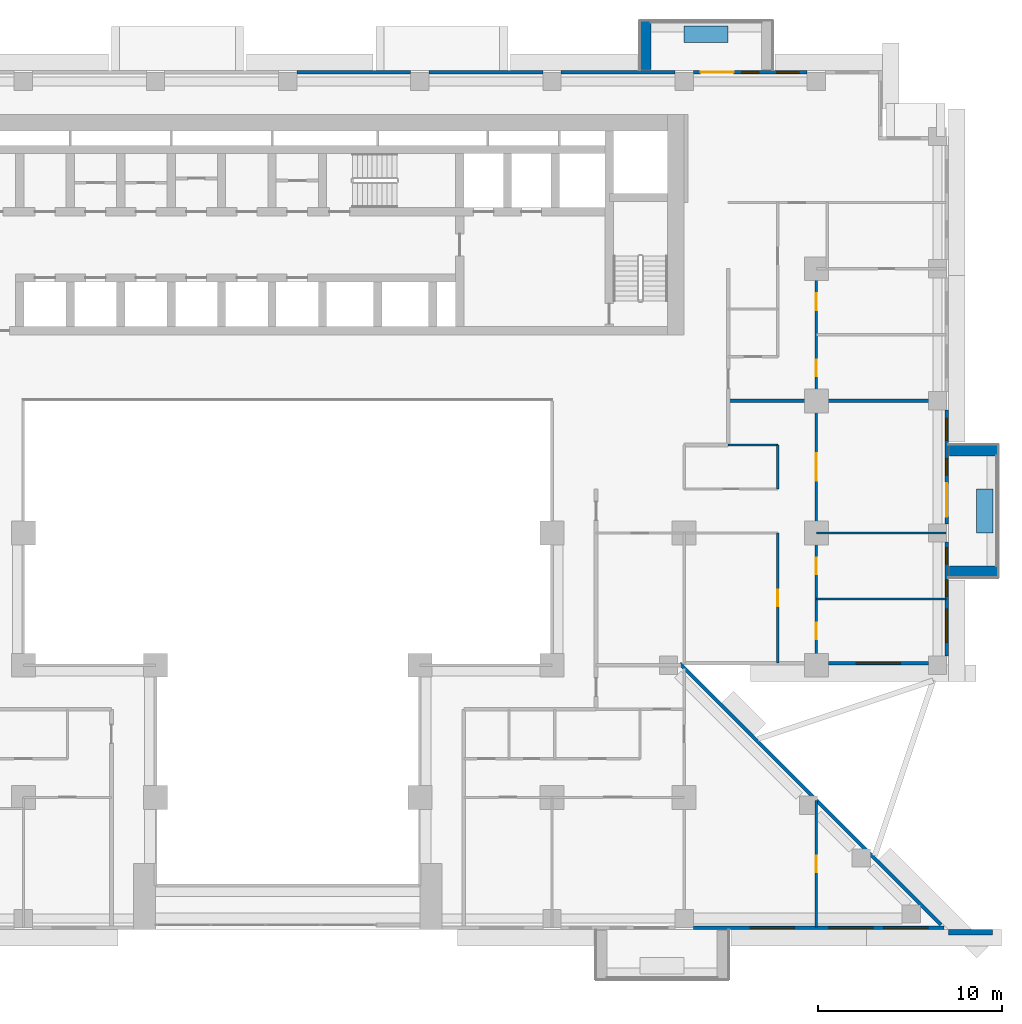
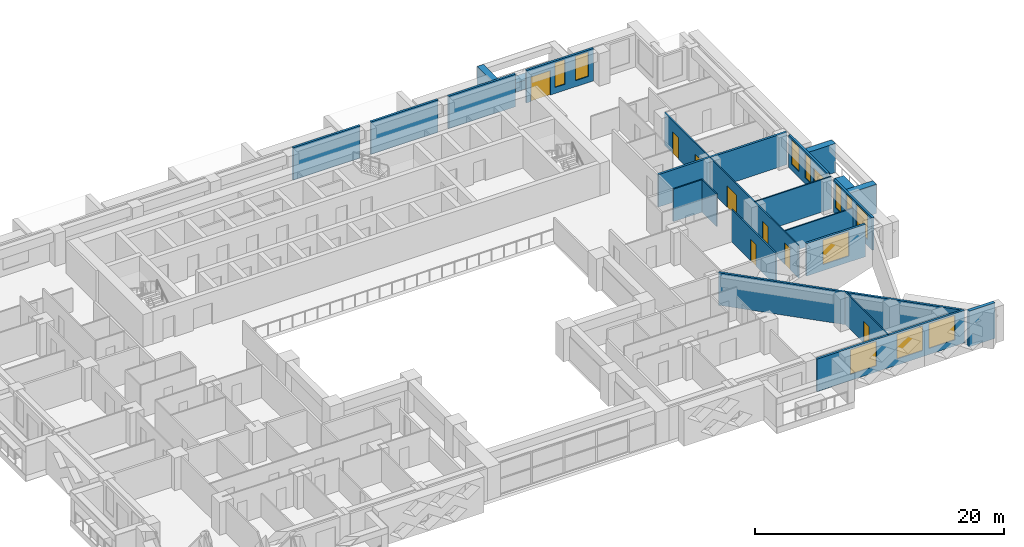
# One storey, part 11 of 16: 23 walls, 11 windows, 9 doors, 20 openings.
"""IFC4 building model written with IfcOpenShell, lengths in metres."""

from ifc_helpers import new_model, si_unit, direction, frame, frame_2d, origin, place, context, subcontext, project, spatial, rectangle, extrude, material, layer, layer_set, type_object, element, fill, save


model = new_model("IFC4")

# Units and contexts
model_context = context("Model", 3, precision=1e-05, world=origin(), true_north=direction((0.0, 1.0)))
body_context = subcontext(model_context, "Body", "Model", "MODEL_VIEW")
ifc_project = project(units=[si_unit("LENGTHUNIT", "METRE"), si_unit("AREAUNIT", "SQUARE_METRE"), si_unit("VOLUMEUNIT", "CUBIC_METRE"), si_unit("PLANEANGLEUNIT", "RADIAN"), si_unit("MASSUNIT", "GRAM", prefix="KILO")], contexts=[model_context])

# Site, building, storey
site_placement = place(None, origin())
site = spatial("IfcSite", under=ifc_project, at=site_placement, CompositionType="ELEMENT")
building_placement = place(site_placement, origin())
building = spatial("IfcBuilding", under=site, at=building_placement, Name="Saffron Iwan Residences", CompositionType="ELEMENT")
storey_placement = place(building_placement, frame((0.0, 0.0, 69.0)))
storey = spatial("IfcBuildingStorey", under=building, at=storey_placement, Name="L17", CompositionType="ELEMENT", Elevation=69.0)

# Walls
ifc_material_1 = material(Name="Concrete C50/60 white painted", Category="concrete")
ifc_layer_1 = layer(ifc_material_1, 0.60009765625)
ifc_layer_set_1 = layer_set([ifc_layer_1], Name="Concrete C50/60 white painted")
wall_type_1 = type_object("IfcWallType", Name="BALCONY FIN 600", PredefinedType="SOLIDWALL", material=ifc_layer_set_1)
for number, where, z_axis, x_axis, name in (
    (1, (86.449951171875, 53.10009765625, 0.0), (0.0, 0.0, 1.0), (1.0, 0.0, 0.0), "Balcony fin L17 F2-0a"),
    (2, (86.449951171875, 59.699951171875, 0.0), (0.0, 0.0, 1.0), (1.0, 0.0, 0.0), "Balcony fin L17 F2-0b"),
    (3, (69.89990234375, 80.449951171875, 0.0), (0.0, 0.0, 1.0), (0.0, 1.0, 0.0), "Balcony fin L17 F5-0b"),
):
    element("IfcWall", number, at=place(storey_placement, frame(where, z_axis=z_axis, x_axis=x_axis)), inside=storey, type_object=wall_type_1, Name=name, PredefinedType="SOLIDWALL", context=body_context, shape_type="SweptSolid", body=[
        extrude(rectangle(XDim=2.650146484375, YDim=0.60009765625, at=frame_2d((1.3251953125, 0.0))), origin(), (0.0, 0.0, 1.0), 2.85009765625),
    ])
ifc_material_2 = material(Name="Concrete C35/45 white painted", Category="concrete")
ifc_layer_2 = layer(ifc_material_2, 0.14990234375)
ifc_layer_set_2 = layer_set([ifc_layer_2], Name="Concrete C35/45 white painted")
wall_type_2 = type_object("IfcWallType", Name="BALCONY PLANTER", PredefinedType="SOLIDWALL", material=ifc_layer_set_2)
wall_1_placement = place(storey_placement, frame((88.375, 55.199951171875, 0.0), z_axis=(0.0, 0.0, 1.0), x_axis=(0.0, 1.0, 0.0)))
element("IfcWall", 4, at=wall_1_placement, inside=storey, type_object=wall_type_2, Name="PLANTER L17 F2-0", PredefinedType="SOLIDWALL", context=body_context, shape_type="SweptSolid", body=[
    extrude(rectangle(XDim=2.400146484375, YDim=0.89990234375, at=frame_2d((1.2001953125, 0.0))), origin(), (0.0, 0.0, 1.0), 0.89990234375),
])
wall_2_placement = place(storey_placement, frame((74.39990234375, 82.375, 0.0), z_axis=(0.0, 0.0, 1.0), x_axis=(-1.0, 0.0, 0.0)))
element("IfcWall", 5, at=wall_2_placement, inside=storey, type_object=wall_type_2, Name="PLANTER L17 F5-0", PredefinedType="SOLIDWALL", context=body_context, shape_type="SweptSolid", body=[
    extrude(rectangle(XDim=2.39990234375, YDim=0.89990234375, at=frame_2d((1.199951171875, 0.0))), origin(), (0.0, 0.0, 1.0), 0.89990234375),
])
ifc_material_3 = material(Name="Concrete C40/50", Category="concrete")
ifc_layer_3 = layer(ifc_material_3, 0.199951171875)
ifc_layer_set_3 = layer_set([ifc_layer_3], Name="Concrete C40/50")
wall_type_3 = type_object("IfcWallType", Name="EXTERNAL WALL 200", PredefinedType="SOLIDWALL", material=ifc_layer_set_3)
wall_3_placement = place(storey_placement, frame((85.995849609375, 33.862548828125, 0.0), z_axis=(0.0, 0.0, 1.0), x_axis=(-0.707100718496, 0.707112843825, 0.0)))
element("IfcWall", 6, at=wall_3_placement, inside=storey, type_object=wall_type_3, Name="External wall L17 F0.0", PredefinedType="SOLIDWALL", context=body_context, shape_type="SweptSolid", body=[
    extrude(rectangle(XDim=20.134765625, YDim=0.199951171875, at=frame_2d((10.0673828125, 0.0))), origin(), (0.0, 0.0, 1.0), 3.179931640625),
])

# Wall, opening, window
wall_4_placement = place(storey_placement, frame((79.85009765625, 48.10009765625, 0.0), z_axis=(0.0, 0.0, 1.0), x_axis=(1.0, 0.0, 0.0)))
wall_4 = element("IfcWall", 7, at=wall_4_placement, inside=storey, type_object=wall_type_3, Name="External wall L17 F1.1", PredefinedType="SOLIDWALL", context=body_context, shape_type="SweptSolid", body=[
    extrude(rectangle(XDim=5.449951171875, YDim=0.199951171875, at=frame_2d((2.72509765625, 0.0))), origin(), (0.0, 0.0, 1.0), 3.179931640625),
])
opening_1_placement = place(wall_4_placement, frame((1.52490234375, 0.0, 0.60009765625)))
opening_1 = element("IfcOpeningElement", 8, at=opening_1_placement, cuts=wall_4, Name="Opening W1", PredefinedType="OPENING", context=body_context, shape_type="SweptSolid", body=[
    extrude(rectangle(XDim=2.39990234375, YDim=2.39990234375, at=frame_2d((1.199951171875, 1.199951171875))), frame((0.0, 0.10986328125, 0.0), z_axis=(0.0, -1.0, 0.0), x_axis=(1.0, 0.0, 0.0)), (0.0, 0.0, 1.0), 0.219970703125),
])
ifc_material_4 = material(Name="Clear glass, laminated double glazed", Category="glass")
window_type_1 = type_object("IfcWindowType", Name="WINDOW 2400 x 2400", PartitioningType="DOUBLE_PANEL_VERTICAL", PredefinedType="WINDOW", material=ifc_material_4)
window_1_placement = place(opening_1_placement, origin())
window_1 = element("IfcWindow", 9, at=window_1_placement, inside=storey, type_object=window_type_1, Name="Window L17 F1.0", OverallHeight=2.39990234375, OverallWidth=2.39990234375, PartitioningType="DOUBLE_PANEL_VERTICAL", PredefinedType="WINDOW", context=body_context, shape_type="SweptSolid", body=[
    extrude(rectangle(XDim=2.39990234375, YDim=2.39990234375, at=frame_2d((1.199951171875, 1.199951171875))), frame((0.0, 0.030029296875, 0.0), z_axis=(0.0, -1.0, 0.0), x_axis=(1.0, 0.0, 0.0)), (0.0, 0.0, 1.0), 0.06005859375),
])
fill(opening_1, window_1)

# Wall, openings, windows
wall_5_placement = place(storey_placement, frame((86.300048828125, 48.5, 0.0), z_axis=(0.0, 0.0, 1.0), x_axis=(0.0, 1.0, 0.0)))
wall_5 = element("IfcWall", 10, at=wall_5_placement, inside=storey, type_object=wall_type_3, Name="External wall L17 F2.0", PredefinedType="SOLIDWALL", context=body_context, shape_type="SweptSolid", body=[
    extrude(rectangle(XDim=6.199951171875, YDim=0.199951171875, at=frame_2d((3.10009765625, 0.0))), origin(), (0.0, 0.0, 1.0), 3.179931640625),
])
opening_2_placement = place(wall_5_placement, frame((0.75, 0.0, 0.60009765625)))
opening_2 = element("IfcOpeningElement", 11, at=opening_2_placement, cuts=wall_5, Name="Opening W8", PredefinedType="OPENING", context=body_context, shape_type="SweptSolid", body=[
    extrude(rectangle(XDim=1.800048828125, YDim=2.39990234375, at=frame_2d((0.89990234375, 1.199951171875))), frame((0.0, 0.10986328125, 0.0), z_axis=(0.0, -1.0, 0.0), x_axis=(1.0, 0.0, 0.0)), (0.0, 0.0, 1.0), 0.219970703125),
])
opening_3_placement = place(wall_5_placement, frame((3.25, 0.0, 0.60009765625)))
opening_3 = element("IfcOpeningElement", 12, at=opening_3_placement, cuts=wall_5, Name="Opening W10", PredefinedType="OPENING", context=body_context, shape_type="SweptSolid", body=[
    extrude(rectangle(XDim=0.89990234375, YDim=2.39990234375, at=frame_2d((0.449951171875, 1.199951171875))), frame((0.0, 0.10986328125, 0.0), z_axis=(0.0, -1.0, 0.0), x_axis=(1.0, 0.0, 0.0)), (0.0, 0.0, 1.0), 0.219970703125),
])
opening_4_placement = place(wall_5_placement, frame((5.0, 0.0, 0.60009765625)))
opening_4 = element("IfcOpeningElement", 13, at=opening_4_placement, cuts=wall_5, Name="Opening W10", PredefinedType="OPENING", context=body_context, shape_type="SweptSolid", body=[
    extrude(rectangle(XDim=0.89990234375, YDim=2.39990234375, at=frame_2d((0.449951171875, 1.199951171875))), frame((0.0, 0.10986328125, 0.0), z_axis=(0.0, -1.0, 0.0), x_axis=(1.0, 0.0, 0.0)), (0.0, 0.0, 1.0), 0.219970703125),
])
window_type_2 = type_object("IfcWindowType", Name="WINDOW 1800 x 2400", PartitioningType="DOUBLE_PANEL_VERTICAL", PredefinedType="WINDOW", material=ifc_material_4)
window_2_placement = place(opening_2_placement, origin())
window_2 = element("IfcWindow", 14, at=window_2_placement, inside=storey, type_object=window_type_2, Name="Window L17 F2.0", OverallHeight=2.39990234375, OverallWidth=1.800048828125, PartitioningType="DOUBLE_PANEL_VERTICAL", PredefinedType="WINDOW", context=body_context, shape_type="SweptSolid", body=[
    extrude(rectangle(XDim=1.800048828125, YDim=2.39990234375, at=frame_2d((0.89990234375, 1.199951171875))), frame((0.0, 0.030029296875, 0.0), z_axis=(0.0, -1.0, 0.0), x_axis=(1.0, 0.0, 0.0)), (0.0, 0.0, 1.0), 0.06005859375),
])
fill(opening_2, window_2)
window_type_3 = type_object("IfcWindowType", Name="WINDOW 900 x 2400", PartitioningType="SINGLE_PANEL", PredefinedType="WINDOW", material=ifc_material_4)
window_3_placement = place(opening_3_placement, origin())
window_3 = element("IfcWindow", 15, at=window_3_placement, inside=storey, type_object=window_type_3, Name="Window L17 F2.1", OverallHeight=2.39990234375, OverallWidth=0.89990234375, PartitioningType="SINGLE_PANEL", PredefinedType="WINDOW", context=body_context, shape_type="SweptSolid", body=[
    extrude(rectangle(XDim=0.89990234375, YDim=2.39990234375, at=frame_2d((0.449951171875, 1.199951171875))), frame((0.0, 0.030029296875, 0.0), z_axis=(0.0, -1.0, 0.0), x_axis=(1.0, 0.0, 0.0)), (0.0, 0.0, 1.0), 0.06005859375),
])
fill(opening_3, window_3)
window_4_placement = place(opening_4_placement, origin())
window_4 = element("IfcWindow", 16, at=window_4_placement, inside=storey, type_object=window_type_3, Name="Window L17 F2.2", OverallHeight=2.39990234375, OverallWidth=0.89990234375, PartitioningType="SINGLE_PANEL", PredefinedType="WINDOW", context=body_context, shape_type="SweptSolid", body=[
    extrude(rectangle(XDim=0.89990234375, YDim=2.39990234375, at=frame_2d((0.449951171875, 1.199951171875))), frame((0.0, 0.030029296875, 0.0), z_axis=(0.0, -1.0, 0.0), x_axis=(1.0, 0.0, 0.0)), (0.0, 0.0, 1.0), 0.06005859375),
])
fill(opening_4, window_4)

# Wall, openings, door, windows
wall_6_placement = place(storey_placement, frame((86.300048828125, 55.699951171875, 0.0), z_axis=(0.0, 0.0, 1.0), x_axis=(0.0, 1.0, 0.0)))
wall_6 = element("IfcWall", 17, at=wall_6_placement, inside=storey, type_object=wall_type_3, Name="External wall L17 F2.1", PredefinedType="SOLIDWALL", context=body_context, shape_type="SweptSolid", body=[
    extrude(rectangle(XDim=6.199951171875, YDim=0.199951171875, at=frame_2d((3.10009765625, 0.0))), origin(), (0.0, 0.0, 1.0), 3.179931640625),
])
opening_5_placement = place(wall_6_placement, frame((0.39990234375, 0.0, 0.0)))
opening_5 = element("IfcOpeningElement", 18, at=opening_5_placement, cuts=wall_6, Name="Opening BD1", PredefinedType="OPENING", context=body_context, shape_type="SweptSolid", body=[
    extrude(rectangle(XDim=1.800048828125, YDim=2.39990234375, at=frame_2d((0.89990234375, 1.199951171875))), frame((0.0, 0.10986328125, 0.0), z_axis=(0.0, -1.0, 0.0), x_axis=(1.0, 0.0, 0.0)), (0.0, 0.0, 1.0), 0.219970703125),
])
opening_6_placement = place(wall_6_placement, frame((2.64990234375, 0.0, 0.60009765625)))
opening_6 = element("IfcOpeningElement", 19, at=opening_6_placement, cuts=wall_6, Name="Opening W10", PredefinedType="OPENING", context=body_context, shape_type="SweptSolid", body=[
    extrude(rectangle(XDim=0.89990234375, YDim=2.39990234375, at=frame_2d((0.449951171875, 1.199951171875))), frame((0.0, 0.10986328125, 0.0), z_axis=(0.0, -1.0, 0.0), x_axis=(1.0, 0.0, 0.0)), (0.0, 0.0, 1.0), 0.219970703125),
])
opening_7_placement = place(wall_6_placement, frame((4.550048828125, 0.0, 0.60009765625)))
opening_7 = element("IfcOpeningElement", 20, at=opening_7_placement, cuts=wall_6, Name="Opening W3", PredefinedType="OPENING", context=body_context, shape_type="SweptSolid", body=[
    extrude(rectangle(XDim=1.199951171875, YDim=2.39990234375, at=frame_2d((0.60009765625, 1.199951171875))), frame((0.0, 0.10986328125, 0.0), z_axis=(0.0, -1.0, 0.0), x_axis=(1.0, 0.0, 0.0)), (0.0, 0.0, 1.0), 0.219970703125),
])
door_type_1 = type_object("IfcDoorType", Name="BALCONY DOOR 1800 x 2400", OperationType="DOUBLE_DOOR_SLIDING", PredefinedType="DOOR", material=ifc_material_4)
door_1_placement = place(opening_5_placement, origin())
door_1 = element("IfcDoor", 21, at=door_1_placement, inside=storey, type_object=door_type_1, Name="Balcony door L17 F2.0", OperationType="DOUBLE_DOOR_SLIDING", OverallHeight=2.39990234375, OverallWidth=1.800048828125, PredefinedType="DOOR", context=body_context, shape_type="SweptSolid", body=[
    extrude(rectangle(XDim=1.800048828125, YDim=2.39990234375, at=frame_2d((0.89990234375, 1.199951171875))), frame((0.0, 0.02490234375, 0.0), z_axis=(0.0, -1.0, 0.0), x_axis=(1.0, 0.0, 0.0)), (0.0, 0.0, 1.0), 0.050048828125),
])
fill(opening_5, door_1)
window_type_4 = type_object("IfcWindowType", Name="WINDOW 1200 x 2400", PartitioningType="SINGLE_PANEL", PredefinedType="WINDOW", material=ifc_material_4)
window_5_placement = place(opening_7_placement, origin())
window_5 = element("IfcWindow", 22, at=window_5_placement, inside=storey, type_object=window_type_4, Name="Window L17 F2.2", OverallHeight=2.39990234375, OverallWidth=1.199951171875, PartitioningType="SINGLE_PANEL", PredefinedType="WINDOW", context=body_context, shape_type="SweptSolid", body=[
    extrude(rectangle(XDim=1.199951171875, YDim=2.39990234375, at=frame_2d((0.60009765625, 1.199951171875))), frame((0.0, 0.030029296875, 0.0), z_axis=(0.0, -1.0, 0.0), x_axis=(1.0, 0.0, 0.0)), (0.0, 0.0, 1.0), 0.06005859375),
])
fill(opening_7, window_5)
window_6_placement = place(opening_6_placement, origin())
window_6 = element("IfcWindow", 23, at=window_6_placement, inside=storey, type_object=window_type_3, Name="Window L17 F2.1", OverallHeight=2.39990234375, OverallWidth=0.89990234375, PartitioningType="SINGLE_PANEL", PredefinedType="WINDOW", context=body_context, shape_type="SweptSolid", body=[
    extrude(rectangle(XDim=0.89990234375, YDim=2.39990234375, at=frame_2d((0.449951171875, 1.199951171875))), frame((0.0, 0.030029296875, 0.0), z_axis=(0.0, -1.0, 0.0), x_axis=(1.0, 0.0, 0.0)), (0.0, 0.0, 1.0), 0.06005859375),
])
fill(opening_6, window_6)

wall_7_placement = place(storey_placement, frame((78.699951171875, 80.300048828125, 0.0), z_axis=(0.0, 0.0, 1.0), x_axis=(-1.0, 0.0, 0.0)))
wall_7 = element("IfcWall", 24, at=wall_7_placement, inside=storey, type_object=wall_type_3, Name="External wall L17 F5.1", PredefinedType="SOLIDWALL", context=body_context, shape_type="SweptSolid", body=[
    extrude(rectangle(XDim=6.199951171875, YDim=0.199951171875, at=frame_2d((3.10009765625, 0.0))), origin(), (0.0, 0.0, 1.0), 3.179931640625),
])
opening_8_placement = place(wall_7_placement, frame((4.0, 0.0, 0.0)))
opening_8 = element("IfcOpeningElement", 25, at=opening_8_placement, cuts=wall_7, Name="Opening BD1", PredefinedType="OPENING", context=body_context, shape_type="SweptSolid", body=[
    extrude(rectangle(XDim=1.800048828125, YDim=2.39990234375, at=frame_2d((0.89990234375, 1.199951171875))), frame((0.0, 0.10986328125, 0.0), z_axis=(0.0, -1.0, 0.0), x_axis=(1.0, 0.0, 0.0)), (0.0, 0.0, 1.0), 0.219970703125),
])
opening_9_placement = place(wall_7_placement, frame((0.449951171875, 0.0, 0.60009765625)))
opening_9 = element("IfcOpeningElement", 26, at=opening_9_placement, cuts=wall_7, Name="Opening W3", PredefinedType="OPENING", context=body_context, shape_type="SweptSolid", body=[
    extrude(rectangle(XDim=1.199951171875, YDim=2.39990234375, at=frame_2d((0.60009765625, 1.199951171875))), frame((0.0, 0.10986328125, 0.0), z_axis=(0.0, -1.0, 0.0), x_axis=(1.0, 0.0, 0.0)), (0.0, 0.0, 1.0), 0.219970703125),
])
opening_10_placement = place(wall_7_placement, frame((2.64990234375, 0.0, 0.60009765625)))
opening_10 = element("IfcOpeningElement", 27, at=opening_10_placement, cuts=wall_7, Name="Opening W10", PredefinedType="OPENING", context=body_context, shape_type="SweptSolid", body=[
    extrude(rectangle(XDim=0.89990234375, YDim=2.39990234375, at=frame_2d((0.449951171875, 1.199951171875))), frame((0.0, 0.10986328125, 0.0), z_axis=(0.0, -1.0, 0.0), x_axis=(1.0, 0.0, 0.0)), (0.0, 0.0, 1.0), 0.219970703125),
])
door_2_placement = place(opening_8_placement, origin())
door_2 = element("IfcDoor", 28, at=door_2_placement, inside=storey, type_object=door_type_1, Name="Balcony door L17 F5.0", OperationType="DOUBLE_DOOR_SLIDING", OverallHeight=2.39990234375, OverallWidth=1.800048828125, PredefinedType="DOOR", context=body_context, shape_type="SweptSolid", body=[
    extrude(rectangle(XDim=1.800048828125, YDim=2.39990234375, at=frame_2d((0.89990234375, 1.199951171875))), frame((0.0, 0.02490234375, 0.0), z_axis=(0.0, -1.0, 0.0), x_axis=(1.0, 0.0, 0.0)), (0.0, 0.0, 1.0), 0.050048828125),
])
fill(opening_8, door_2)
window_7_placement = place(opening_9_placement, origin())
window_7 = element("IfcWindow", 29, at=window_7_placement, inside=storey, type_object=window_type_4, Name="Window L17 F5.1", OverallHeight=2.39990234375, OverallWidth=1.199951171875, PartitioningType="SINGLE_PANEL", PredefinedType="WINDOW", context=body_context, shape_type="SweptSolid", body=[
    extrude(rectangle(XDim=1.199951171875, YDim=2.39990234375, at=frame_2d((0.60009765625, 1.199951171875))), frame((0.0, 0.030029296875, 0.0), z_axis=(0.0, -1.0, 0.0), x_axis=(1.0, 0.0, 0.0)), (0.0, 0.0, 1.0), 0.06005859375),
])
fill(opening_9, window_7)
window_8_placement = place(opening_10_placement, origin())
window_8 = element("IfcWindow", 30, at=window_8_placement, inside=storey, type_object=window_type_3, Name="Window L17 F5.2", OverallHeight=2.39990234375, OverallWidth=0.89990234375, PartitioningType="SINGLE_PANEL", PredefinedType="WINDOW", context=body_context, shape_type="SweptSolid", body=[
    extrude(rectangle(XDim=0.89990234375, YDim=2.39990234375, at=frame_2d((0.449951171875, 1.199951171875))), frame((0.0, 0.030029296875, 0.0), z_axis=(0.0, -1.0, 0.0), x_axis=(1.0, 0.0, 0.0)), (0.0, 0.0, 1.0), 0.06005859375),
])
fill(opening_10, window_8)

# Walls
for number, where, z_axis, x_axis, name in (
    (31, (71.5, 80.300048828125, 0.0), (0.0, 0.0, 1.0), (-1.0, 0.0, 0.0), "External wall L17 F5.2"),
    (32, (64.300048828125, 80.300048828125, 0.0), (0.0, 0.0, 1.0), (-1.0, 0.0, 0.0), "External wall L17 F5.3"),
):
    element("IfcWall", number, at=place(storey_placement, frame(where, z_axis=z_axis, x_axis=x_axis)), inside=storey, type_object=wall_type_3, Name=name, PredefinedType="SOLIDWALL", context=body_context, shape_type="SweptSolid", body=[
        extrude(rectangle(XDim=6.199951171875, YDim=0.199951171875, at=frame_2d((3.10009765625, 0.0))), origin(), (0.0, 0.0, 1.0), 3.179931640625),
    ])
wall_8_placement = place(storey_placement, frame((57.10009765625, 80.300048828125, 0.0), z_axis=(0.0, 0.0, 1.0), x_axis=(-1.0, 0.0, 0.0)))
element("IfcWall", 33, at=wall_8_placement, inside=storey, type_object=wall_type_3, Name="External wall L17 F5.4", PredefinedType="SOLIDWALL", context=body_context, shape_type="SweptSolid", body=[
    extrude(rectangle(XDim=6.2001953125, YDim=0.199951171875, at=frame_2d((3.10009765625, 0.0))), origin(), (0.0, 0.0, 1.0), 3.179931640625),
])

# Wall, openings, windows
wall_9_placement = place(storey_placement, frame((72.5, 33.699951171875, 0.0), z_axis=(0.0, 0.0, 1.0), x_axis=(1.0, 0.0, 0.0)))
wall_9 = element("IfcWall", 34, at=wall_9_placement, inside=storey, type_object=wall_type_3, Name="External wall L17 F11.6", PredefinedType="SOLIDWALL", context=body_context, shape_type="SweptSolid", body=[
    extrude(rectangle(XDim=13.65869140625, YDim=0.199951171875, at=frame_2d((6.829345703125, 0.0))), origin(), (0.0, 0.0, 1.0), 3.179931640625),
])
opening_11_placement = place(wall_9_placement, frame((3.10009765625, 0.0, 0.60009765625)))
opening_11 = element("IfcOpeningElement", 35, at=opening_11_placement, cuts=wall_9, Name="Opening W1", PredefinedType="OPENING", context=body_context, shape_type="SweptSolid", body=[
    extrude(rectangle(XDim=2.39990234375, YDim=2.39990234375, at=frame_2d((1.199951171875, 1.199951171875))), frame((0.0, 0.10986328125, 0.0), z_axis=(0.0, -1.0, 0.0), x_axis=(1.0, 0.0, 0.0)), (0.0, 0.0, 1.0), 0.219970703125),
])
opening_12_placement = place(wall_9_placement, frame((7.38623046875, 0.0, 0.60009765625)))
opening_12 = element("IfcOpeningElement", 36, at=opening_12_placement, cuts=wall_9, Name="Opening W1", PredefinedType="OPENING", context=body_context, shape_type="SweptSolid", body=[
    extrude(rectangle(XDim=2.39990234375, YDim=2.39990234375, at=frame_2d((1.199951171875, 1.199951171875))), frame((0.0, 0.10986328125, 0.0), z_axis=(0.0, -1.0, 0.0), x_axis=(1.0, 0.0, 0.0)), (0.0, 0.0, 1.0), 0.219970703125),
])
opening_13_placement = place(wall_9_placement, frame((10.372314453125, 0.0, 0.60009765625)))
opening_13 = element("IfcOpeningElement", 37, at=opening_13_placement, cuts=wall_9, Name="Opening W1", PredefinedType="OPENING", context=body_context, shape_type="SweptSolid", body=[
    extrude(rectangle(XDim=2.39990234375, YDim=2.39990234375, at=frame_2d((1.199951171875, 1.199951171875))), frame((0.0, 0.10986328125, 0.0), z_axis=(0.0, -1.0, 0.0), x_axis=(1.0, 0.0, 0.0)), (0.0, 0.0, 1.0), 0.219970703125),
])
window_9_placement = place(opening_11_placement, origin())
window_9 = element("IfcWindow", 38, at=window_9_placement, inside=storey, type_object=window_type_1, Name="Window L17 F11.0", OverallHeight=2.39990234375, OverallWidth=2.39990234375, PartitioningType="DOUBLE_PANEL_VERTICAL", PredefinedType="WINDOW", context=body_context, shape_type="SweptSolid", body=[
    extrude(rectangle(XDim=2.39990234375, YDim=2.39990234375, at=frame_2d((1.199951171875, 1.199951171875))), frame((0.0, 0.030029296875, 0.0), z_axis=(0.0, -1.0, 0.0), x_axis=(1.0, 0.0, 0.0)), (0.0, 0.0, 1.0), 0.06005859375),
])
fill(opening_11, window_9)
window_10_placement = place(opening_12_placement, origin())
window_10 = element("IfcWindow", 39, at=window_10_placement, inside=storey, type_object=window_type_1, Name="Window L17 F11.1", OverallHeight=2.39990234375, OverallWidth=2.39990234375, PartitioningType="DOUBLE_PANEL_VERTICAL", PredefinedType="WINDOW", context=body_context, shape_type="SweptSolid", body=[
    extrude(rectangle(XDim=2.39990234375, YDim=2.39990234375, at=frame_2d((1.199951171875, 1.199951171875))), frame((0.0, 0.030029296875, 0.0), z_axis=(0.0, -1.0, 0.0), x_axis=(1.0, 0.0, 0.0)), (0.0, 0.0, 1.0), 0.06005859375),
])
fill(opening_12, window_10)
window_11_placement = place(opening_13_placement, origin())
window_11 = element("IfcWindow", 40, at=window_11_placement, inside=storey, type_object=window_type_1, Name="Window L17 F11.2", OverallHeight=2.39990234375, OverallWidth=2.39990234375, PartitioningType="DOUBLE_PANEL_VERTICAL", PredefinedType="WINDOW", context=body_context, shape_type="SweptSolid", body=[
    extrude(rectangle(XDim=2.39990234375, YDim=2.39990234375, at=frame_2d((1.199951171875, 1.199951171875))), frame((0.0, 0.030029296875, 0.0), z_axis=(0.0, -1.0, 0.0), x_axis=(1.0, 0.0, 0.0)), (0.0, 0.0, 1.0), 0.06005859375),
])
fill(opening_13, window_11)

# Walls
ifc_material_5 = material(Name="Fire-rated gypsum board wall")
ifc_layer_4 = layer(ifc_material_5, 0.199951171875)
ifc_layer_set_4 = layer_set([ifc_layer_4], Name="Fire-rated gypsum board wall")
wall_type_4 = type_object("IfcWallType", Name="Flat demising wall 200", PredefinedType="SOLIDWALL", material=ifc_layer_set_4)
wall_10_placement = place(storey_placement, frame((74.39990234375, 62.39990234375, 0.0), z_axis=(0.0, 0.0, 1.0), x_axis=(1.0, 0.0, 0.0)))
element("IfcWall", 41, at=wall_10_placement, inside=storey, type_object=wall_type_4, Name="W-L17-DEMISE-h62.4-74.4", PredefinedType="SOLIDWALL", context=body_context, shape_type="SweptSolid", body=[
    extrude(rectangle(XDim=11.875, YDim=0.199951171875, at=frame_2d((5.9375, 0.0))), origin(), (0.0, 0.0, 1.0), 3.179931640625),
])
ifc_material_6 = material(Name="Gypsum board partition")
ifc_layer_5 = layer(ifc_material_6, 0.1201171875)
ifc_layer_set_5 = layer_set([ifc_layer_5], Name="Gypsum board partition")
wall_type_5 = type_object("IfcWallType", Name="Flat partition 120", PredefinedType="PARTITIONING", material=ifc_layer_set_5)
wall_11_placement = place(storey_placement, frame((79.199951171875, 51.60009765625, 0.0), z_axis=(0.0, 0.0, 1.0), x_axis=(1.0, 0.0, 0.0)))
element("IfcWall", 42, at=wall_11_placement, inside=storey, type_object=wall_type_5, Name="W-L17-PART-h51.6-79.2", PredefinedType="PARTITIONING", context=body_context, shape_type="SweptSolid", body=[
    extrude(rectangle(XDim=7.074951171875, YDim=0.1201171875, at=frame_2d((3.53759765625, 0.0))), origin(), (0.0, 0.0, 1.0), 2.280029296875),
])
wall_12_placement = place(storey_placement, frame((79.199951171875, 55.199951171875, 0.0), z_axis=(0.0, 0.0, 1.0), x_axis=(1.0, 0.0, 0.0)))
element("IfcWall", 43, at=wall_12_placement, inside=storey, type_object=wall_type_5, Name="W-L17-PART-h55.2-79.2", PredefinedType="PARTITIONING", context=body_context, shape_type="SweptSolid", body=[
    extrude(rectangle(XDim=7.074951171875, YDim=0.1201171875, at=frame_2d((3.53759765625, 0.0))), origin(), (0.0, 0.0, 1.0), 3.179931640625),
])
wall_13_placement = place(storey_placement, frame((74.39990234375, 60.0, 0.0), z_axis=(0.0, 0.0, 1.0), x_axis=(1.0, 0.0, 0.0)))
element("IfcWall", 44, at=wall_13_placement, inside=storey, type_object=wall_type_5, Name="W-L17-PART-h60-74.4", PredefinedType="PARTITIONING", context=body_context, shape_type="SweptSolid", body=[
    extrude(rectangle(XDim=2.7001953125, YDim=0.1201171875, at=frame_2d((1.35009765625, 0.0))), origin(), (0.0, 0.0, 1.0), 3.179931640625),
])

# Wall, opening, door
wall_14_placement = place(storey_placement, frame((77.10009765625, 48.125, 0.0), z_axis=(0.0, 0.0, 1.0), x_axis=(0.0, 1.0, 0.0)))
wall_14 = element("IfcWall", 45, at=wall_14_placement, inside=storey, type_object=wall_type_5, Name="W-L17-PART-v77.1-48.125", PredefinedType="PARTITIONING", context=body_context, shape_type="SweptSolid", body=[
    extrude(rectangle(XDim=7.074951171875, YDim=0.1201171875, at=frame_2d((3.53759765625, 0.0))), origin(), (0.0, 0.0, 1.0), 3.179931640625),
])
opening_14_placement = place(wall_14_placement, frame((3.08740234375, 0.0, 0.0)))
opening_14 = element("IfcOpeningElement", 46, at=opening_14_placement, cuts=wall_14, Name="Opening FD2", PredefinedType="OPENING", context=body_context, shape_type="SweptSolid", body=[
    extrude(rectangle(XDim=0.89990234375, YDim=2.10009765625, at=frame_2d((0.449951171875, 1.050048828125))), frame((0.0, 0.070068359375, 0.0), z_axis=(0.0, -1.0, 0.0), x_axis=(1.0, 0.0, 0.0)), (0.0, 0.0, 1.0), 0.14013671875),
])
ifc_material_7 = material(Name="Timber door", Category="wood")
door_type_2 = type_object("IfcDoorType", Name="Flat door 900", OperationType="NOTDEFINED", PredefinedType="DOOR", material=ifc_material_7)
door_3_placement = place(opening_14_placement, origin())
door_3 = element("IfcDoor", 47, at=door_3_placement, inside=storey, type_object=door_type_2, Name="Door L17-024", OperationType="SINGLE_SWING_LEFT", OverallHeight=2.10009765625, OverallWidth=0.89990234375, PredefinedType="DOOR", context=body_context, shape_type="SweptSolid", body=[
    extrude(rectangle(XDim=0.89990234375, YDim=2.10009765625, at=frame_2d((0.449951171875, 1.050048828125))), frame((0.0, 0.02490234375, 0.0), z_axis=(0.0, -1.0, 0.0), x_axis=(1.0, 0.0, 0.0)), (0.0, 0.0, 1.0), 0.050048828125),
])
fill(opening_14, door_3)

# Wall
wall_15_placement = place(storey_placement, frame((77.10009765625, 57.60009765625, 0.0), z_axis=(0.0, 0.0, 1.0), x_axis=(0.0, 1.0, 0.0)))
element("IfcWall", 48, at=wall_15_placement, inside=storey, type_object=wall_type_5, Name="W-L17-PART-v77.1-57.6", PredefinedType="PARTITIONING", context=body_context, shape_type="SweptSolid", body=[
    extrude(rectangle(XDim=2.39990234375, YDim=0.1201171875, at=frame_2d((1.199951171875, 0.0))), origin(), (0.0, 0.0, 1.0), 3.179931640625),
])

# Wall, opening, door
wall_16_placement = place(storey_placement, frame((79.199951171875, 33.72509765625, 0.0), z_axis=(0.0, 0.0, 1.0), x_axis=(0.0, 1.0, 0.0)))
wall_16 = element("IfcWall", 49, at=wall_16_placement, inside=storey, type_object=wall_type_5, Name="W-L17-PART-v79.2-33.725", PredefinedType="PARTITIONING", context=body_context, shape_type="SweptSolid", body=[
    extrude(rectangle(XDim=6.89794921875, YDim=0.1201171875, at=frame_2d((3.448974609375, 0.0))), origin(), (0.0, 0.0, 1.0), 3.179931640625),
])
opening_15_placement = place(wall_16_placement, frame((2.9990234375, 0.0, 0.0)))
opening_15 = element("IfcOpeningElement", 50, at=opening_15_placement, cuts=wall_16, Name="Opening FD2", PredefinedType="OPENING", context=body_context, shape_type="SweptSolid", body=[
    extrude(rectangle(XDim=0.89990234375, YDim=2.10009765625, at=frame_2d((0.449951171875, 1.050048828125))), frame((0.0, 0.070068359375, 0.0), z_axis=(0.0, -1.0, 0.0), x_axis=(1.0, 0.0, 0.0)), (0.0, 0.0, 1.0), 0.14013671875),
])
door_4_placement = place(opening_15_placement, origin())
door_4 = element("IfcDoor", 51, at=door_4_placement, inside=storey, type_object=door_type_2, Name="Door L17-049", OperationType="SINGLE_SWING_LEFT", OverallHeight=2.10009765625, OverallWidth=0.89990234375, PredefinedType="DOOR", context=body_context, shape_type="SweptSolid", body=[
    extrude(rectangle(XDim=0.89990234375, YDim=2.10009765625, at=frame_2d((0.449951171875, 1.050048828125))), frame((0.0, 0.02490234375, 0.0), z_axis=(0.0, -1.0, 0.0), x_axis=(1.0, 0.0, 0.0)), (0.0, 0.0, 1.0), 0.050048828125),
])
fill(opening_15, door_4)

# Wall, openings, doors
wall_17_placement = place(storey_placement, frame((79.199951171875, 48.125, 0.0), z_axis=(0.0, 0.0, 1.0), x_axis=(0.0, 1.0, 0.0)))
wall_17 = element("IfcWall", 52, at=wall_17_placement, inside=storey, type_object=wall_type_5, Name="W-L17-PART-v79.2-48.125", PredefinedType="PARTITIONING", context=body_context, shape_type="SweptSolid", body=[
    extrude(rectangle(XDim=21.47509765625, YDim=0.1201171875, at=frame_2d((10.737548828125, 0.0))), origin(), (0.0, 0.0, 1.0), 3.179931640625),
])
opening_16_placement = place(wall_17_placement, frame((1.28759765625, 0.0, 0.0)))
opening_16 = element("IfcOpeningElement", 53, at=opening_16_placement, cuts=wall_17, Name="Opening FD2", PredefinedType="OPENING", context=body_context, shape_type="SweptSolid", body=[
    extrude(rectangle(XDim=0.89990234375, YDim=2.10009765625, at=frame_2d((0.449951171875, 1.050048828125))), frame((0.0, 0.070068359375, 0.0), z_axis=(0.0, -1.0, 0.0), x_axis=(1.0, 0.0, 0.0)), (0.0, 0.0, 1.0), 0.14013671875),
])
opening_17_placement = place(wall_17_placement, frame((4.824951171875, 0.0, 0.0)))
opening_17 = element("IfcOpeningElement", 54, at=opening_17_placement, cuts=wall_17, Name="Opening FD2", PredefinedType="OPENING", context=body_context, shape_type="SweptSolid", body=[
    extrude(rectangle(XDim=0.89990234375, YDim=2.10009765625, at=frame_2d((0.449951171875, 1.050048828125))), frame((0.0, 0.070068359375, 0.0), z_axis=(0.0, -1.0, 0.0), x_axis=(1.0, 0.0, 0.0)), (0.0, 0.0, 1.0), 0.14013671875),
])
opening_18_placement = place(wall_17_placement, frame((9.925048828125, 0.0, 0.0)))
opening_18 = element("IfcOpeningElement", 55, at=opening_18_placement, cuts=wall_17, Name="Opening FD4", PredefinedType="OPENING", context=body_context, shape_type="SweptSolid", body=[
    extrude(rectangle(XDim=1.5, YDim=2.10009765625, at=frame_2d((0.75, 1.050048828125))), frame((0.0, 0.070068359375, 0.0), z_axis=(0.0, -1.0, 0.0), x_axis=(1.0, 0.0, 0.0)), (0.0, 0.0, 1.0), 0.14013671875),
])
opening_19_placement = place(wall_17_placement, frame((15.625, 0.0, 0.0)))
opening_19 = element("IfcOpeningElement", 56, at=opening_19_placement, cuts=wall_17, Name="Opening FD2", PredefinedType="OPENING", context=body_context, shape_type="SweptSolid", body=[
    extrude(rectangle(XDim=0.89990234375, YDim=2.10009765625, at=frame_2d((0.449951171875, 1.050048828125))), frame((0.0, 0.070068359375, 0.0), z_axis=(0.0, -1.0, 0.0), x_axis=(1.0, 0.0, 0.0)), (0.0, 0.0, 1.0), 0.14013671875),
])
opening_20_placement = place(wall_17_placement, frame((19.22509765625, 0.0, 0.0)))
opening_20 = element("IfcOpeningElement", 57, at=opening_20_placement, cuts=wall_17, Name="Opening FD2", PredefinedType="OPENING", context=body_context, shape_type="SweptSolid", body=[
    extrude(rectangle(XDim=0.89990234375, YDim=2.10009765625, at=frame_2d((0.449951171875, 1.050048828125))), frame((0.0, 0.070068359375, 0.0), z_axis=(0.0, -1.0, 0.0), x_axis=(1.0, 0.0, 0.0)), (0.0, 0.0, 1.0), 0.14013671875),
])
door_type_3 = type_object("IfcDoorType", Name="Double door 1500", OperationType="NOTDEFINED", PredefinedType="DOOR", material=ifc_material_7)
door_5_placement = place(opening_18_placement, origin())
door_5 = element("IfcDoor", 58, at=door_5_placement, inside=storey, type_object=door_type_3, Name="Door L17-023", OperationType="SINGLE_SWING_RIGHT", OverallHeight=2.10009765625, OverallWidth=1.5, PredefinedType="DOOR", context=body_context, shape_type="SweptSolid", body=[
    extrude(rectangle(XDim=1.5, YDim=2.10009765625, at=frame_2d((0.75, 1.050048828125))), frame((0.0, 0.02490234375, 0.0), z_axis=(0.0, -1.0, 0.0), x_axis=(1.0, 0.0, 0.0)), (0.0, 0.0, 1.0), 0.050048828125),
])
fill(opening_18, door_5)
door_6_placement = place(opening_16_placement, origin())
door_6 = element("IfcDoor", 59, at=door_6_placement, inside=storey, type_object=door_type_2, Name="Door L17-021", OperationType="SINGLE_SWING_LEFT", OverallHeight=2.10009765625, OverallWidth=0.89990234375, PredefinedType="DOOR", context=body_context, shape_type="SweptSolid", body=[
    extrude(rectangle(XDim=0.89990234375, YDim=2.10009765625, at=frame_2d((0.449951171875, 1.050048828125))), frame((0.0, 0.02490234375, 0.0), z_axis=(0.0, -1.0, 0.0), x_axis=(1.0, 0.0, 0.0)), (0.0, 0.0, 1.0), 0.050048828125),
])
fill(opening_16, door_6)
door_7_placement = place(opening_17_placement, origin())
door_7 = element("IfcDoor", 60, at=door_7_placement, inside=storey, type_object=door_type_2, Name="Door L17-022", OperationType="SINGLE_SWING_LEFT", OverallHeight=2.10009765625, OverallWidth=0.89990234375, PredefinedType="DOOR", context=body_context, shape_type="SweptSolid", body=[
    extrude(rectangle(XDim=0.89990234375, YDim=2.10009765625, at=frame_2d((0.449951171875, 1.050048828125))), frame((0.0, 0.02490234375, 0.0), z_axis=(0.0, -1.0, 0.0), x_axis=(1.0, 0.0, 0.0)), (0.0, 0.0, 1.0), 0.050048828125),
])
fill(opening_17, door_7)
door_8_placement = place(opening_19_placement, origin())
door_8 = element("IfcDoor", 61, at=door_8_placement, inside=storey, type_object=door_type_2, Name="Door L17-035", OperationType="SINGLE_SWING_RIGHT", OverallHeight=2.10009765625, OverallWidth=0.89990234375, PredefinedType="DOOR", context=body_context, shape_type="SweptSolid", body=[
    extrude(rectangle(XDim=0.89990234375, YDim=2.10009765625, at=frame_2d((0.449951171875, 1.050048828125))), frame((0.0, 0.02490234375, 0.0), z_axis=(0.0, -1.0, 0.0), x_axis=(1.0, 0.0, 0.0)), (0.0, 0.0, 1.0), 0.050048828125),
])
fill(opening_19, door_8)
door_9_placement = place(opening_20_placement, origin())
door_9 = element("IfcDoor", 62, at=door_9_placement, inside=storey, type_object=door_type_2, Name="Door L17-036", OperationType="SINGLE_SWING_LEFT", OverallHeight=2.10009765625, OverallWidth=0.89990234375, PredefinedType="DOOR", context=body_context, shape_type="SweptSolid", body=[
    extrude(rectangle(XDim=0.89990234375, YDim=2.10009765625, at=frame_2d((0.449951171875, 1.050048828125))), frame((0.0, 0.02490234375, 0.0), z_axis=(0.0, -1.0, 0.0), x_axis=(1.0, 0.0, 0.0)), (0.0, 0.0, 1.0), 0.050048828125),
])
fill(opening_20, door_9)

# Wall
ifc_layer_6 = layer(ifc_material_1, 0.300048828125)
ifc_layer_set_6 = layer_set([ifc_layer_6], Name="Concrete C50/60 white painted")
wall_type_6 = type_object("IfcWallType", Name="PROW BLADE 300", PredefinedType="SOLIDWALL", material=ifc_layer_set_6)
wall_18_placement = place(storey_placement, frame((86.39990234375, 33.449951171875, -0.320068359375), z_axis=(0.0, 0.0, 1.0), x_axis=(1.0, 0.0, 0.0)))
element("IfcWall", 63, at=wall_18_placement, inside=storey, type_object=wall_type_6, Name="Prow blade L17", PredefinedType="SOLIDWALL", context=body_context, shape_type="SweptSolid", body=[
    extrude(rectangle(XDim=2.400146484375, YDim=0.300048828125, at=frame_2d((1.2001953125, 0.0))), origin(), (0.0, 0.0, 1.0), 3.5),
])

save(model, "model.ifc")
